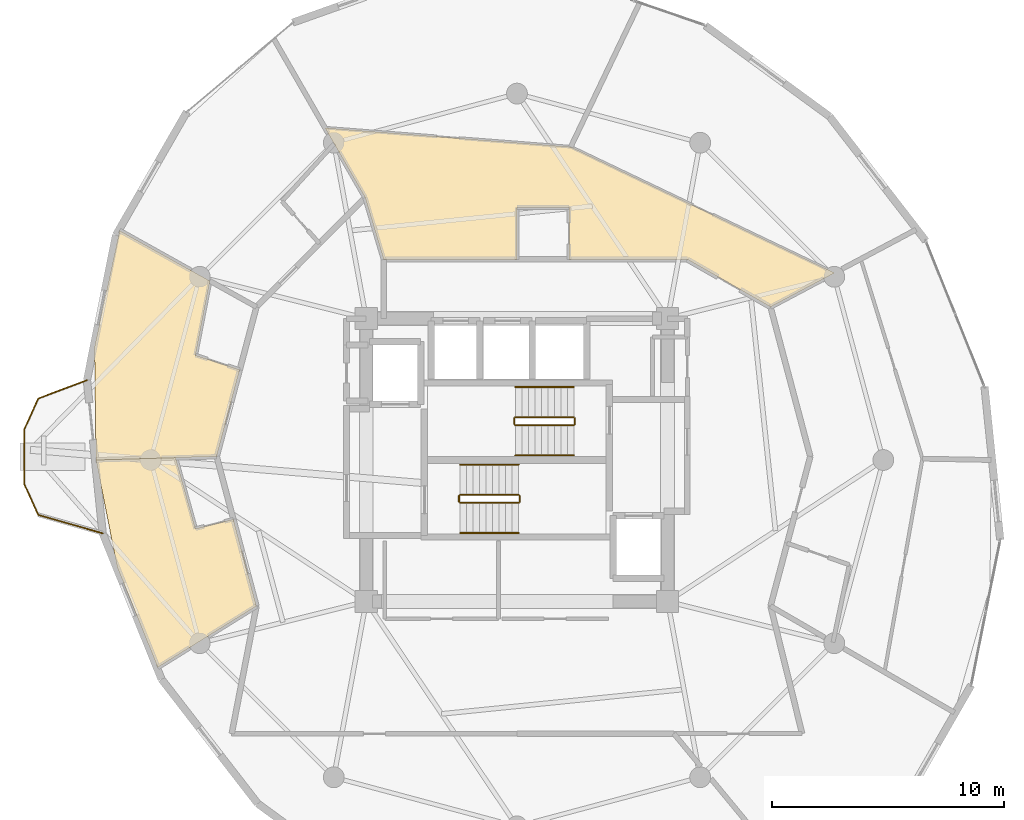
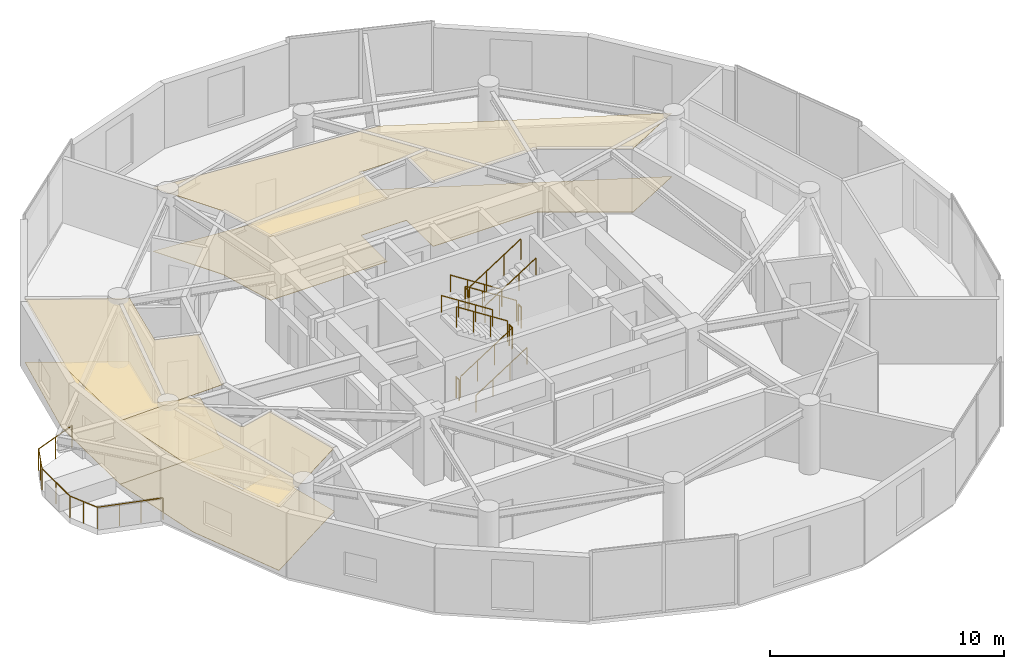
# One storey, part 16 of 17: 13 railings, 6 coverings.
"""IFC4 building model written with IfcOpenShell, lengths in metres."""

import ifcopenshell
import ifcopenshell.guid

model = None  # the IFC model being written
_history = None  # IfcOwnerHistory: only IFC2X3 demands one
_inside = {}  # id of a spatial element -> (the spatial element, [elements in it])
_under = {}  # id of a project, library or spatial element -> (it, [spatial elements below it])
_declared = {}  # id of a project -> (the project, [libraries it declares])
_typed = {}  # id of a type object -> (the type object, [elements of that type])
_made_of = {}  # id of a material, layer set ... -> (it, [elements and type objects made of it])


def new_model(schema):
    """Start an empty IFC model of exactly this schema.

    Asked for "IFC4X3", IfcOpenShell would pick the latest addendum, in which some entities
    have other attributes; the version numbers below select the first issue.
    IFC2X3 requires an IfcOwnerHistory on every rooted entity: one is made here for all.
    """
    global model, _history
    if schema == "IFC4X3":
        model = ifcopenshell.file(schema_version=(4, 3, 0, 0))
    else:
        model = ifcopenshell.file(schema=schema)
    _inside.clear()
    _under.clear()
    _declared.clear()
    _typed.clear()
    _made_of.clear()
    _history = None
    if model.schema == "IFC2X3":
        org = make("IfcOrganization", Name="unknown")
        user = make(
            "IfcPersonAndOrganization",
            ThePerson=make("IfcPerson", FamilyName="unknown"),
            TheOrganization=org,
        )
        app = make(
            "IfcApplication",
            ApplicationDeveloper=org,
            Version="unknown",
            ApplicationFullName="unknown",
            ApplicationIdentifier="unknown",
        )
        _history = make(
            "IfcOwnerHistory",
            OwningUser=user,
            OwningApplication=app,
            ChangeAction="ADDED",
            CreationDate=0,
        )
    return model


def make(cls, **values):
    """One entity of the class cls with the attributes given. An attribute that is None is left unset."""
    return model.create_entity(
        cls, **{name: value for name, value in values.items() if value is not None}
    )


def rooted(cls, **values):
    """An entity with a GlobalId (a new one), such as an element, a storey or a relation."""
    return make(cls, GlobalId=ifcopenshell.guid.new(), OwnerHistory=_history, **values)


def si_unit(unit_type, name, prefix=None):
    """IfcSIUnit, for example si_unit("LENGTHUNIT", "METRE", prefix="MILLI")."""
    return make("IfcSIUnit", UnitType=unit_type, Prefix=prefix, Name=name)


def assignment(units):
    """IfcUnitAssignment: the units of a project."""
    return None if units is None else make("IfcUnitAssignment", Units=units)


def point(xyz):
    """IfcCartesianPoint."""
    return None if xyz is None else make("IfcCartesianPoint", Coordinates=xyz)


def direction(xyz):
    """IfcDirection."""
    return None if xyz is None else make("IfcDirection", DirectionRatios=xyz)


def frame(location, z_axis=None, x_axis=None):
    """IfcAxis2Placement3D, a coordinate frame: its origin and axes. An axis left out is left unset."""
    return make(
        "IfcAxis2Placement3D",
        Location=point(location),
        Axis=direction(z_axis),
        RefDirection=direction(x_axis),
    )


def frame_2d(location, x_axis=None):
    """IfcAxis2Placement2D, a coordinate frame in the plane: its origin and x axis."""
    return make(
        "IfcAxis2Placement2D", Location=point(location), RefDirection=direction(x_axis)
    )


def origin():
    """The frame at (0, 0, 0) with its axes left unset."""
    return frame((0.0, 0.0, 0.0))


def origin_2d():
    """The frame at (0, 0) in the plane with its x axis left unset."""
    return frame_2d((0.0, 0.0))


def place(relative_to, where):
    """IfcLocalPlacement: puts the frame where relative to a parent placement (None: the world)."""
    return make(
        "IfcLocalPlacement", PlacementRelTo=relative_to, RelativePlacement=where
    )


def context(
    kind, dimensions, precision=None, world=None, true_north=None, identifier=None
):
    """IfcGeometricRepresentationContext, for example the 3D "Model" context."""
    return make(
        "IfcGeometricRepresentationContext",
        ContextIdentifier=identifier,
        ContextType=kind,
        CoordinateSpaceDimension=dimensions,
        Precision=precision,
        WorldCoordinateSystem=world,
        TrueNorth=true_north,
    )


def subcontext(parent, identifier, kind, view, scale=None):
    """IfcGeometricRepresentationSubContext, for example "Body" below "Model"."""
    return make(
        "IfcGeometricRepresentationSubContext",
        ContextIdentifier=identifier,
        ContextType=kind,
        ParentContext=parent,
        TargetScale=scale,
        TargetView=view,
    )


def project(units=None, contexts=None):
    """IfcProject with its units and contexts."""
    return rooted(
        "IfcProject",
        Name="project",
        RepresentationContexts=contexts,
        UnitsInContext=assignment(units),
    )


def spatial(cls, under=None, at=None, **own):
    """A site, building, storey or space (cls), placed at a placement, below another one or the project."""
    s = rooted(cls, ObjectPlacement=at, **own)
    if under is not None:
        _under.setdefault(under.id(), (under, []))[1].append(s)
    return s


def polyline(points):
    """IfcPolyline through the points."""
    return make("IfcPolyline", Points=[point(p) for p in points])


def profile(cls, at=None, kind="AREA", **sizes):
    """A parametric profile (cls). Its sizes go by their IFC names, for example OverallWidth=200.0."""
    return make(cls, ProfileType=kind, Position=at, **sizes)


def circle(**sizes):
    """IfcCircleProfileDef."""
    return profile("IfcCircleProfileDef", **sizes)


def outline(outer, holes=None, kind="AREA"):
    """IfcArbitraryClosedProfileDef: a profile drawn as a closed curve; with holes, ...WithVoids."""
    if holes is None:
        return make("IfcArbitraryClosedProfileDef", ProfileType=kind, OuterCurve=outer)
    return make(
        "IfcArbitraryProfileDefWithVoids",
        ProfileType=kind,
        OuterCurve=outer,
        InnerCurves=holes,
    )


def extrude(swept, where, along, depth):
    """IfcExtrudedAreaSolid: the profile swept, set in the frame where, extruded along a direction by depth."""
    return make(
        "IfcExtrudedAreaSolid",
        SweptArea=swept,
        Position=where,
        ExtrudedDirection=direction(along),
        Depth=depth,
    )


def shape(context_of_items, identifier, shape_type, items):
    """IfcShapeRepresentation: the items that make up one representation, for example the "Body"."""
    return make(
        "IfcShapeRepresentation",
        ContextOfItems=context_of_items,
        RepresentationIdentifier=identifier,
        RepresentationType=shape_type,
        Items=items,
    )


def material(Name=None, Category=None):
    """IfcMaterial."""
    return make("IfcMaterial", Name=Name, Category=Category)


def layer(
    of_material, thickness, ventilated=None, Name=None, Category=None, Priority=None
):
    """IfcMaterialLayer: one layer of a wall or slab, of a material (None: an air gap)."""
    return make(
        "IfcMaterialLayer",
        Material=of_material,
        LayerThickness=thickness,
        IsVentilated=ventilated,
        Name=Name,
        Category=Category,
        Priority=Priority,
    )


def layer_set(layers, Name=None):
    """IfcMaterialLayerSet."""
    return make("IfcMaterialLayerSet", MaterialLayers=layers, LayerSetName=Name)


def made_of(thing, what):
    """Note that an element or type object is made of a material, layer set ...; save() writes the relation."""
    if what is not None:
        _made_of.setdefault(what.id(), (what, []))[1].append(thing)
    return thing


def type_object(cls, material=None, **own):
    """A type object (cls), such as IfcWallType, which elements share."""
    return made_of(rooted(cls, **own), material)


def element(
    cls,
    number,
    at=None,
    inside=None,
    cuts=None,
    type_object=None,
    material=None,
    context=None,
    identifier="Body",
    shape_type=None,
    held_by="IfcProductDefinitionShape",
    body=None,
    shapes=None,
    **own,
):
    """One element of the class cls, such as IfcWall. Its Tag is "e" and its number.

    at: its placement. inside: the storey or other place that contains it. cuts: it is an
    opening in that element (IfcRelVoidsElement). A single representation is given by context,
    identifier, shape_type and body (its items); several are given by shapes. held_by: the class
    of the entity that holds the representations. save() writes the other relations.
    """
    e = rooted(cls, Tag="e%d" % number, ObjectPlacement=at, **own)
    if body is not None:
        shapes = [shape(context, identifier, shape_type, body)]
    if shapes is not None:
        e.Representation = make(held_by, Representations=shapes)
    if inside is not None:
        _inside.setdefault(inside.id(), (inside, []))[1].append(e)
    if cuts is not None:
        rooted(
            "IfcRelVoidsElement", RelatingBuildingElement=cuts, RelatedOpeningElement=e
        )
    if type_object is not None:
        _typed.setdefault(type_object.id(), (type_object, []))[1].append(e)
    return made_of(e, material)


def aggregate(whole, parts):
    """IfcRelAggregates: a whole, such as a stair, and the parts it consists of."""
    return rooted("IfcRelAggregates", RelatingObject=whole, RelatedObjects=parts)


def save(model, path):
    """Write the relations noted so far, then the file.

    IfcRelAggregates (storeys below a building ...), IfcRelContainedInSpatialStructure (elements
    in a storey), IfcRelDefinesByType, IfcRelAssociatesMaterial and IfcRelDeclares: one each for
    every whole, place, type object, material and project.
    """
    for whole, parts in _under.values():
        aggregate(whole, parts)
    for where, things in _inside.values():
        rooted(
            "IfcRelContainedInSpatialStructure",
            RelatedElements=things,
            RelatingStructure=where,
        )
    for kind, things in _typed.values():
        rooted("IfcRelDefinesByType", RelatedObjects=things, RelatingType=kind)
    for what, things in _made_of.values():
        rooted("IfcRelAssociatesMaterial", RelatedObjects=things, RelatingMaterial=what)
    for by, libraries in _declared.values():
        rooted("IfcRelDeclares", RelatingContext=by, RelatedDefinitions=libraries)
    model.write(path)


model = new_model("IFC4")

# Units and contexts
model_context = context("Model", 3, precision=1e-05, world=origin(), true_north=direction((0.0, 1.0)))
body_context = subcontext(model_context, "Body", "Model", "MODEL_VIEW")
ifc_project = project(units=[si_unit("LENGTHUNIT", "METRE"), si_unit("AREAUNIT", "SQUARE_METRE"), si_unit("VOLUMEUNIT", "CUBIC_METRE"), si_unit("PLANEANGLEUNIT", "RADIAN"), si_unit("MASSUNIT", "GRAM", prefix="KILO")], contexts=[model_context])

# Site, building, storey
site_placement = place(None, origin())
site = spatial("IfcSite", under=ifc_project, at=site_placement, CompositionType="ELEMENT")
building_placement = place(site_placement, origin())
building = spatial("IfcBuilding", under=site, at=building_placement, Name="Solvirekh Grand Hotel", CompositionType="ELEMENT")
storey_placement = place(building_placement, frame((0.0, 0.0, 191.199951171875)))
storey = spatial("IfcBuildingStorey", under=building, at=storey_placement, Name="L49", CompositionType="ELEMENT", Elevation=191.199951171875)

# Coverings
ifc_material_1 = material(Name="Acoustic Mineral Ceiling Tile")
ifc_layer_1 = layer(ifc_material_1, 0.02490234375)
ifc_layer_set_1 = layer_set([ifc_layer_1], Name="Acoustic Mineral Ceiling Tile")
covering_type_1 = type_object("IfcCoveringType", Name="Cov_Ceiling_Acoustic", PredefinedType="CEILING", material=ifc_layer_set_1)
covering_1_placement = place(storey_placement, frame((0.0, 0.0, 3.31005859375)))
element("IfcCovering", 1, at=covering_1_placement, inside=storey, type_object=covering_type_1, Name="L49 Panorama Suite 5101 Inner Suite Lounge acoustic ceiling", PredefinedType="CEILING", context=body_context, shape_type="SweptSolid", body=[
    extrude(outline(polyline([(0.0, 8.64990234375), (0.0, 10.89990234375), (2.25, 10.89990234375), (2.25, 8.64990234375), (7.35009765625, 8.64990234375), (10.93505859375, 6.60009765625), (13.696044921875, 8.06689453125), (2.320068359375, 13.501953125), (-8.27587890625, 14.322021484375), (-6.550048828125, 11.322021484375), (-5.75, 8.64990234375), (0.0, 8.64990234375)])), origin(), (0.0, 0.0, 1.0), 0.01806640625),
])
covering_2_placement = place(storey_placement, frame((0.0, 0.0, 3.31005859375)))
element("IfcCovering", 2, at=covering_2_placement, inside=storey, type_object=covering_type_1, Name="L49 Deluxe Guestroom 5103 acoustic ceiling", PredefinedType="CEILING", context=body_context, shape_type="SweptSolid", body=[
    extrude(outline(polyline([(-13.862060546875, 4.51904296875), (-13.241943359375, 7.719970703125), (-17.137939453125, 9.89501953125), (-18.217041015625, 4.881103515625), (-18.153076171875, 0.0), (-12.949951171875, 0.14990234375), (-11.955078125, 3.89111328125), (-13.862060546875, 4.51904296875)])), origin(), (0.0, 0.0, 1.0), 0.01806640625),
])
covering_3_placement = place(storey_placement, frame((0.0, 0.0, 3.31005859375)))
element("IfcCovering", 3, at=covering_3_placement, inside=storey, type_object=covering_type_1, Name="L49 Deluxe Guestroom 5104 acoustic ceiling", PredefinedType="CEILING", context=body_context, shape_type="SweptSolid", body=[
    extrude(outline(polyline([(-13.864013671875, -2.966064453125), (-14.718994140625, 0.09912109375), (-18.153076171875, 0.0), (-17.238037109375, -4.618896484375), (-15.493896484375, -8.945068359375), (-11.235107421875, -6.300048828125), (-12.22998046875, -2.55908203125), (-13.864013671875, -2.966064453125)])), origin(), (0.0, 0.0, 1.0), 0.01806640625),
])
ifc_material_2 = material(Name="Porcelain Stoneware Flooring", Category="masonry")
ifc_layer_2 = layer(ifc_material_2, 0.030029296875)
ifc_layer_set_2 = layer_set([ifc_layer_2], Name="Porcelain Stoneware Flooring")
covering_type_2 = type_object("IfcCoveringType", Name="Cov_Floor_Stone", PredefinedType="FLOORING", material=ifc_layer_set_2)
covering_4_placement = place(storey_placement, origin())
element("IfcCovering", 4, at=covering_4_placement, inside=storey, type_object=covering_type_2, Name="L49 Panorama Suite 5101 Inner Suite Lounge polished granite flooring", PredefinedType="FLOORING", context=body_context, shape_type="SweptSolid", body=[
    extrude(outline(polyline([(0.0, 8.64990234375), (0.0, 10.89990234375), (2.25, 10.89990234375), (2.25, 8.64990234375), (7.35009765625, 8.64990234375), (10.93505859375, 6.60009765625), (13.696044921875, 8.06689453125), (2.320068359375, 13.501953125), (-8.27587890625, 14.322021484375), (-6.550048828125, 11.322021484375), (-5.75, 8.64990234375), (0.0, 8.64990234375)])), origin(), (0.0, 0.0, 1.0), 0.02001953125),
])
covering_5_placement = place(storey_placement, origin())
element("IfcCovering", 5, at=covering_5_placement, inside=storey, type_object=covering_type_2, Name="L49 Deluxe Guestroom 5103 polished granite flooring", PredefinedType="FLOORING", context=body_context, shape_type="SweptSolid", body=[
    extrude(outline(polyline([(-13.862060546875, 4.51904296875), (-13.241943359375, 7.719970703125), (-17.137939453125, 9.89501953125), (-18.217041015625, 4.881103515625), (-18.153076171875, 0.0), (-12.949951171875, 0.14990234375), (-11.955078125, 3.89111328125), (-13.862060546875, 4.51904296875)])), origin(), (0.0, 0.0, 1.0), 0.02001953125),
])
covering_6_placement = place(storey_placement, origin())
element("IfcCovering", 6, at=covering_6_placement, inside=storey, type_object=covering_type_2, Name="L49 Deluxe Guestroom 5104 polished granite flooring", PredefinedType="FLOORING", context=body_context, shape_type="SweptSolid", body=[
    extrude(outline(polyline([(-13.864013671875, -2.966064453125), (-14.718994140625, 0.09912109375), (-18.153076171875, 0.0), (-17.238037109375, -4.618896484375), (-15.493896484375, -8.945068359375), (-11.235107421875, -6.300048828125), (-12.22998046875, -2.55908203125), (-13.864013671875, -2.966064453125)])), origin(), (0.0, 0.0, 1.0), 0.02001953125),
])

# Railings
ifc_material_3 = material(Name="Anodized Bronze Aluminium 6063-T6", Category="aluminium")
railing_type_1 = type_object("IfcRailingType", Name="Guard_ExtGlass_1150", PredefinedType="BALUSTRADE", material=ifc_material_3)
railing_1_placement = place(storey_placement, frame((-18.544921875, 3.44091796875, 0.0)))
element("IfcRailing", 7, at=railing_1_placement, inside=storey, type_object=railing_type_1, Name="L49 horn perimeter glass balustrade", PredefinedType="BALUSTRADE", context=body_context, shape_type="SweptSolid", body=[
    extrude(circle(Radius=0.02392578125, at=origin_2d()), frame((0.0, 0.0, 1.1259765625), z_axis=(-0.935674915437, -0.352863220841, 0.0), x_axis=(0.352863220841, -0.935674915437, 0.0)), (0.0, 0.0, 1.0), 2.244384765625),
    extrude(circle(Radius=0.02392578125, at=origin_2d()), frame((-2.10009765625, -0.7919921875, 1.1259765625), z_axis=(-0.413587419349, -0.91046441257, 0.0), x_axis=(0.91046441257, -0.413587419349, 0.0)), (0.0, 0.0, 1.0), 1.450927734375),
    extrude(circle(Radius=0.02392578125, at=origin_2d()), frame((-2.7001953125, -2.113037109375, 1.1259765625), z_axis=(0.0, -1.0, 0.0), x_axis=(1.0, 0.0, 0.0)), (0.0, 0.0, 1.0), 2.3759765625),
    extrude(circle(Radius=0.02392578125, at=origin_2d()), frame((-2.7001953125, -4.489013671875, 1.1259765625), z_axis=(0.413650788138, -0.910435624014, 0.0), x_axis=(0.910435624014, 0.413650788138, 0.0)), (0.0, 0.0, 1.0), 1.45068359375),
    extrude(circle(Radius=0.02392578125, at=origin_2d()), frame((-2.10009765625, -5.809814453125, 1.1259765625), z_axis=(0.961632376074, -0.274341344471, 0.0), x_axis=(0.274341344471, 0.961632376074, 0.0)), (0.0, 0.0, 1.0), 2.886962890625),
    extrude(circle(Radius=0.02099609375, at=origin_2d()), origin(), (0.0, 0.0, 1.0), 1.101806640625),
    extrude(circle(Radius=0.02099609375, at=origin_2d()), frame((-1.050048828125, -0.39599609375, 0.0)), (0.0, 0.0, 1.0), 1.101806640625),
    extrude(circle(Radius=0.02099609375, at=origin_2d()), frame((-2.10009765625, -0.7919921875, 0.0)), (0.0, 0.0, 1.0), 1.101806640625),
    extrude(circle(Radius=0.02099609375, at=origin_2d()), frame((-2.400146484375, -1.45263671875, 0.0)), (0.0, 0.0, 1.0), 1.101806640625),
    extrude(circle(Radius=0.02099609375, at=origin_2d()), frame((-2.7001953125, -2.113037109375, 0.0)), (0.0, 0.0, 1.0), 1.101806640625),
    extrude(circle(Radius=0.02099609375, at=origin_2d()), frame((-2.7001953125, -3.301025390625, 0.0)), (0.0, 0.0, 1.0), 1.101806640625),
    extrude(circle(Radius=0.02099609375, at=origin_2d()), frame((-2.7001953125, -4.489013671875, 0.0)), (0.0, 0.0, 1.0), 1.101806640625),
    extrude(circle(Radius=0.02099609375, at=origin_2d()), frame((-2.400146484375, -5.1494140625, 0.0)), (0.0, 0.0, 1.0), 1.101806640625),
    extrude(circle(Radius=0.02099609375, at=origin_2d()), frame((-2.10009765625, -5.809814453125, 0.0)), (0.0, 0.0, 1.0), 1.101806640625),
    extrude(circle(Radius=0.02099609375, at=origin_2d()), frame((-1.1748046875, -6.07373046875, 0.0)), (0.0, 0.0, 1.0), 1.101806640625),
    extrude(circle(Radius=0.02099609375, at=origin_2d()), frame((-0.249267578125, -6.337890625, 0.0)), (0.0, 0.0, 1.0), 1.101806640625),
    extrude(circle(Radius=0.02099609375, at=origin_2d()), frame((0.676025390625, -6.601806640625, 0.0)), (0.0, 0.0, 1.0), 1.101806640625),
])
ifc_material_4 = material(Name="Steel S355", Category="steel")
railing_type_2 = type_object("IfcRailingType", Name="Guard_Stair_1100", PredefinedType="GUARDRAIL", material=ifc_material_4)
railing_2_placement = place(storey_placement, frame((-2.449951171875, -1.85009765625, 0.179931640625)))
element("IfcRailing", 8, at=railing_2_placement, inside=storey, type_object=railing_type_2, Name="L49 ST-1 stair guard 1", PredefinedType="GUARDRAIL", context=body_context, shape_type="SweptSolid", body=[
    extrude(circle(Radius=0.02392578125, at=origin_2d()), frame((0.0, 0.0, 1.076171875), z_axis=(0.841162588446, 0.0, 0.540782303519), x_axis=(0.0, 1.0, 0.0)), (0.0, 0.0, 1.0), 2.995849609375),
    extrude(circle(Radius=0.02099609375, at=origin_2d()), origin(), (0.0, 0.0, 1.0), 1.052001953125),
    extrude(circle(Radius=0.02099609375, at=origin_2d()), frame((0.840087890625, 0.0, 0.5400390625)), (0.0, 0.0, 1.0), 1.052001953125),
    extrude(circle(Radius=0.02099609375, at=origin_2d()), frame((1.679931640625, 0.0, 1.080078125)), (0.0, 0.0, 1.0), 1.052001953125),
    extrude(circle(Radius=0.02099609375, at=origin_2d()), frame((2.52001953125, 0.0, 1.6201171875)), (0.0, 0.0, 1.0), 1.052001953125),
])
railing_3_placement = place(storey_placement, frame((0.1201171875, -1.800048828125, 1.800048828125)))
element("IfcRailing", 9, at=railing_3_placement, inside=storey, type_object=railing_type_2, Name="L49 ST-1 stair guard 2", PredefinedType="GUARDRAIL", context=body_context, shape_type="SweptSolid", body=[
    extrude(circle(Radius=0.02392578125, at=origin_2d()), frame((0.0, 0.0, 1.076171875), z_axis=(0.0, 1.0, 0.0), x_axis=(-1.0, 0.0, 0.0)), (0.0, 0.0, 1.0), 0.25),
    extrude(circle(Radius=0.02099609375, at=origin_2d()), origin(), (0.0, 0.0, 1.0), 1.052001953125),
    extrude(circle(Radius=0.02099609375, at=origin_2d()), frame((0.0, 0.25, 0.0)), (0.0, 0.0, 1.0), 1.052001953125),
])
railing_4_placement = place(storey_placement, frame((0.070068359375, -1.5, 1.97998046875)))
element("IfcRailing", 10, at=railing_4_placement, inside=storey, type_object=railing_type_2, Name="L49 ST-1 stair guard 3", PredefinedType="GUARDRAIL", context=body_context, shape_type="SweptSolid", body=[
    extrude(circle(Radius=0.02392578125, at=origin_2d()), frame((0.0, 0.0, 1.076171875), z_axis=(-0.841162588446, 0.0, 0.540782303519), x_axis=(0.0, -1.0, 0.0)), (0.0, 0.0, 1.0), 2.995849609375),
    extrude(circle(Radius=0.02099609375, at=origin_2d()), origin(), (0.0, 0.0, 1.0), 1.052001953125),
    extrude(circle(Radius=0.02099609375, at=origin_2d()), frame((-0.840087890625, 0.0, 0.5400390625)), (0.0, 0.0, 1.0), 1.052001953125),
    extrude(circle(Radius=0.02099609375, at=origin_2d()), frame((-1.679931640625, 0.0, 1.080078125)), (0.0, 0.0, 1.0), 1.052001953125),
    extrude(circle(Radius=0.02099609375, at=origin_2d()), frame((-2.52001953125, 0.0, 1.6201171875)), (0.0, 0.0, 1.0), 1.052001953125),
])
railing_5_placement = place(storey_placement, frame((-2.5, -1.800048828125, 0.0)))
element("IfcRailing", 11, at=railing_5_placement, inside=storey, type_object=railing_type_2, Name="L49 ST-1 stair guard 4", PredefinedType="GUARDRAIL", context=body_context, shape_type="SweptSolid", body=[
    extrude(circle(Radius=0.02392578125, at=origin_2d()), frame((0.0, 0.0, 1.076171875), z_axis=(0.0, 1.0, 0.0), x_axis=(-1.0, 0.0, 0.0)), (0.0, 0.0, 1.0), 0.25),
    extrude(circle(Radius=0.02099609375, at=origin_2d()), origin(), (0.0, 0.0, 1.0), 1.052001953125),
    extrude(circle(Radius=0.02099609375, at=origin_2d()), frame((0.0, 0.25, 0.0)), (0.0, 0.0, 1.0), 1.052001953125),
])
railing_6_placement = place(storey_placement, frame((2.449951171875, 1.85009765625, 0.179931640625)))
element("IfcRailing", 12, at=railing_6_placement, inside=storey, type_object=railing_type_2, Name="L49 ST-2 stair guard 1", PredefinedType="GUARDRAIL", context=body_context, shape_type="SweptSolid", body=[
    extrude(circle(Radius=0.02392578125, at=origin_2d()), frame((0.0, 0.0, 1.076171875), z_axis=(-0.841162588446, 0.0, 0.540782303519), x_axis=(0.0, -1.0, 0.0)), (0.0, 0.0, 1.0), 2.995849609375),
    extrude(circle(Radius=0.02099609375, at=origin_2d()), origin(), (0.0, 0.0, 1.0), 1.052001953125),
    extrude(circle(Radius=0.02099609375, at=origin_2d()), frame((-0.840087890625, 0.0, 0.5400390625)), (0.0, 0.0, 1.0), 1.052001953125),
    extrude(circle(Radius=0.02099609375, at=origin_2d()), frame((-1.679931640625, 0.0, 1.080078125)), (0.0, 0.0, 1.0), 1.052001953125),
    extrude(circle(Radius=0.02099609375, at=origin_2d()), frame((-2.52001953125, 0.0, 1.6201171875)), (0.0, 0.0, 1.0), 1.052001953125),
])
railing_7_placement = place(storey_placement, frame((-0.1201171875, 1.800048828125, 1.800048828125)))
element("IfcRailing", 13, at=railing_7_placement, inside=storey, type_object=railing_type_2, Name="L49 ST-2 stair guard 2", PredefinedType="GUARDRAIL", context=body_context, shape_type="SweptSolid", body=[
    extrude(circle(Radius=0.02392578125, at=origin_2d()), frame((0.0, 0.0, 1.076171875), z_axis=(0.0, -1.0, 0.0), x_axis=(1.0, 0.0, 0.0)), (0.0, 0.0, 1.0), 0.25),
    extrude(circle(Radius=0.02099609375, at=origin_2d()), origin(), (0.0, 0.0, 1.0), 1.052001953125),
    extrude(circle(Radius=0.02099609375, at=origin_2d()), frame((0.0, -0.25, 0.0)), (0.0, 0.0, 1.0), 1.052001953125),
])
railing_8_placement = place(storey_placement, frame((-0.070068359375, 1.5, 1.97998046875)))
element("IfcRailing", 14, at=railing_8_placement, inside=storey, type_object=railing_type_2, Name="L49 ST-2 stair guard 3", PredefinedType="GUARDRAIL", context=body_context, shape_type="SweptSolid", body=[
    extrude(circle(Radius=0.02392578125, at=origin_2d()), frame((0.0, 0.0, 1.076171875), z_axis=(0.841162588446, 0.0, 0.540782303519), x_axis=(0.0, 1.0, 0.0)), (0.0, 0.0, 1.0), 2.995849609375),
    extrude(circle(Radius=0.02099609375, at=origin_2d()), origin(), (0.0, 0.0, 1.0), 1.052001953125),
    extrude(circle(Radius=0.02099609375, at=origin_2d()), frame((0.840087890625, 0.0, 0.5400390625)), (0.0, 0.0, 1.0), 1.052001953125),
    extrude(circle(Radius=0.02099609375, at=origin_2d()), frame((1.679931640625, 0.0, 1.080078125)), (0.0, 0.0, 1.0), 1.052001953125),
    extrude(circle(Radius=0.02099609375, at=origin_2d()), frame((2.52001953125, 0.0, 1.6201171875)), (0.0, 0.0, 1.0), 1.052001953125),
])
railing_9_placement = place(storey_placement, frame((2.5, 1.800048828125, 0.0)))
element("IfcRailing", 15, at=railing_9_placement, inside=storey, type_object=railing_type_2, Name="L49 ST-2 stair guard 4", PredefinedType="GUARDRAIL", context=body_context, shape_type="SweptSolid", body=[
    extrude(circle(Radius=0.02392578125, at=origin_2d()), frame((0.0, 0.0, 1.076171875), z_axis=(0.0, -1.0, 0.0), x_axis=(1.0, 0.0, 0.0)), (0.0, 0.0, 1.0), 0.25),
    extrude(circle(Radius=0.02099609375, at=origin_2d()), origin(), (0.0, 0.0, 1.0), 1.052001953125),
    extrude(circle(Radius=0.02099609375, at=origin_2d()), frame((0.0, -0.25, 0.0)), (0.0, 0.0, 1.0), 1.052001953125),
])
railing_type_3 = type_object("IfcRailingType", Name="Handrail_Wall_900", PredefinedType="HANDRAIL", material=ifc_material_3)
railing_10_placement = place(storey_placement, frame((-2.449951171875, -3.14990234375, 0.179931640625)))
element("IfcRailing", 16, at=railing_10_placement, inside=storey, type_object=railing_type_3, Name="L49 ST-1 stair handrail 1", PredefinedType="HANDRAIL", context=body_context, shape_type="SweptSolid", body=[
    extrude(circle(Radius=0.02392578125, at=origin_2d()), frame((0.0, 0.0, 0.8759765625), z_axis=(0.841162588446, 0.0, 0.540782303519), x_axis=(0.0, 1.0, 0.0)), (0.0, 0.0, 1.0), 2.995849609375),
    extrude(circle(Radius=0.02099609375, at=origin_2d()), origin(), (0.0, 0.0, 1.0), 0.851806640625),
    extrude(circle(Radius=0.02099609375, at=origin_2d()), frame((0.840087890625, 0.0, 0.5400390625)), (0.0, 0.0, 1.0), 0.851806640625),
    extrude(circle(Radius=0.02099609375, at=origin_2d()), frame((1.679931640625, 0.0, 1.080078125)), (0.0, 0.0, 1.0), 0.851806640625),
    extrude(circle(Radius=0.02099609375, at=origin_2d()), frame((2.52001953125, 0.0, 1.6201171875)), (0.0, 0.0, 1.0), 0.851806640625),
])
for number, where, name in (
    (17, (0.070068359375, -0.199951171875, 1.97998046875), "L49 ST-1 stair handrail 2"),
    (18, (2.449951171875, 3.14990234375, 0.179931640625), "L49 ST-2 stair handrail 1"),
):
    element("IfcRailing", number, at=place(storey_placement, frame(where)), inside=storey, type_object=railing_type_3, Name=name, PredefinedType="HANDRAIL", context=body_context, shape_type="SweptSolid", body=[
        extrude(circle(Radius=0.02392578125, at=origin_2d()), frame((0.0, 0.0, 0.8759765625), z_axis=(-0.841162588446, 0.0, 0.540782303519), x_axis=(0.0, -1.0, 0.0)), (0.0, 0.0, 1.0), 2.995849609375),
        extrude(circle(Radius=0.02099609375, at=origin_2d()), origin(), (0.0, 0.0, 1.0), 0.851806640625),
        extrude(circle(Radius=0.02099609375, at=origin_2d()), frame((-0.840087890625, 0.0, 0.5400390625)), (0.0, 0.0, 1.0), 0.851806640625),
        extrude(circle(Radius=0.02099609375, at=origin_2d()), frame((-1.679931640625, 0.0, 1.080078125)), (0.0, 0.0, 1.0), 0.851806640625),
        extrude(circle(Radius=0.02099609375, at=origin_2d()), frame((-2.52001953125, 0.0, 1.6201171875)), (0.0, 0.0, 1.0), 0.851806640625),
    ])
railing_11_placement = place(storey_placement, frame((-0.070068359375, 0.199951171875, 1.97998046875)))
element("IfcRailing", 19, at=railing_11_placement, inside=storey, type_object=railing_type_3, Name="L49 ST-2 stair handrail 2", PredefinedType="HANDRAIL", context=body_context, shape_type="SweptSolid", body=[
    extrude(circle(Radius=0.02392578125, at=origin_2d()), frame((0.0, 0.0, 0.8759765625), z_axis=(0.841162588446, 0.0, 0.540782303519), x_axis=(0.0, 1.0, 0.0)), (0.0, 0.0, 1.0), 2.995849609375),
    extrude(circle(Radius=0.02099609375, at=origin_2d()), origin(), (0.0, 0.0, 1.0), 0.851806640625),
    extrude(circle(Radius=0.02099609375, at=origin_2d()), frame((0.840087890625, 0.0, 0.5400390625)), (0.0, 0.0, 1.0), 0.851806640625),
    extrude(circle(Radius=0.02099609375, at=origin_2d()), frame((1.679931640625, 0.0, 1.080078125)), (0.0, 0.0, 1.0), 0.851806640625),
    extrude(circle(Radius=0.02099609375, at=origin_2d()), frame((2.52001953125, 0.0, 1.6201171875)), (0.0, 0.0, 1.0), 0.851806640625),
])

save(model, "model.ifc")
